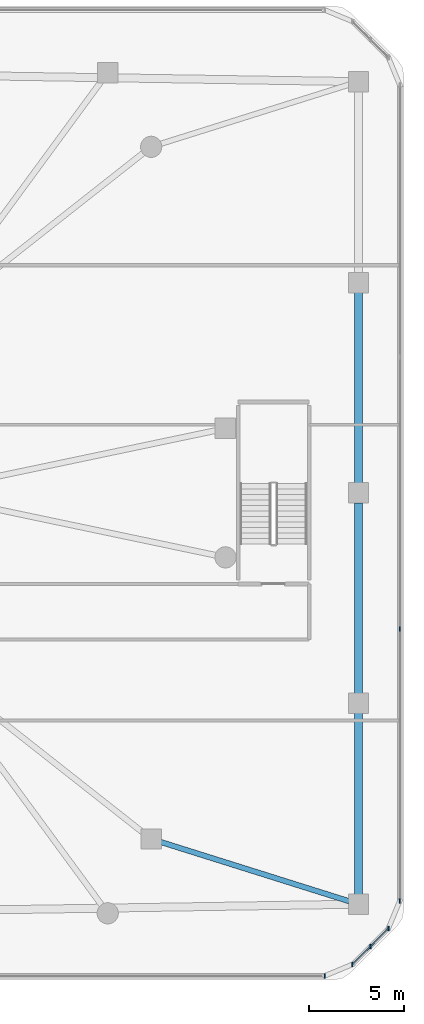
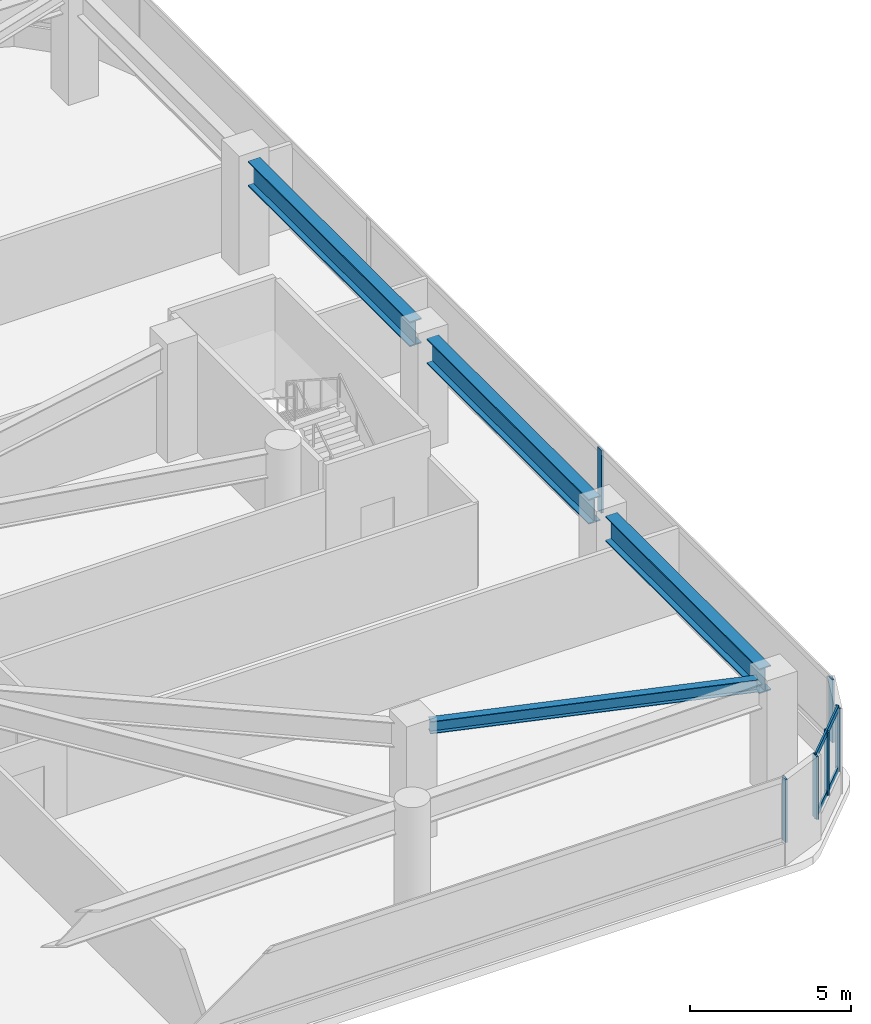
# One storey, part 9 of 21: 8 members, 4 beams, 3 elements without a shape of their own.
"""IFC4 building model written with IfcOpenShell, lengths in metres."""

from ifc_helpers import new_model, si_unit, derived_unit, direction, frame, origin, origin_2d, place, context, subcontext, project, spatial, rectangle, i_section, extrude, material, material_profile, profile_set, type_object, element, aggregate, save


model = new_model("IFC4")

# Units and contexts
model_context = context("Model", 3, precision=1e-05, world=origin(), true_north=direction((0.0, 1.0)))
body_context = subcontext(model_context, "Body", "Model", "MODEL_VIEW")
ifc_project = project(units=[si_unit("LENGTHUNIT", "METRE"), si_unit("AREAUNIT", "SQUARE_METRE"), si_unit("VOLUMEUNIT", "CUBIC_METRE"), si_unit("PLANEANGLEUNIT", "RADIAN"), si_unit("MASSUNIT", "GRAM", prefix="KILO"), derived_unit("THERMALTRANSMITTANCEUNIT", [(si_unit("POWERUNIT", "WATT"), 1), (si_unit("LENGTHUNIT", "METRE"), -2), (si_unit("THERMODYNAMICTEMPERATUREUNIT", "KELVIN"), -1)])], contexts=[model_context])

# Site, building, storey
site_placement = place(None, origin())
site = spatial("IfcSite", under=ifc_project, at=site_placement, CompositionType="ELEMENT")
building_placement = place(site_placement, origin())
building = spatial("IfcBuilding", under=site, at=building_placement, Name="Koralith Skygarden Medical Center", CompositionType="ELEMENT")
storey_placement = place(building_placement, frame((0.0, 0.0, 9.89990234375)))
storey = spatial("IfcBuildingStorey", under=building, at=storey_placement, Name="L02", CompositionType="ELEMENT", Elevation=9.89990234375)

# Curtain wall, member
ifc_material_1 = material(Name="Clear Laminated Glass", Category="glass")
curtain_wall_type = type_object("IfcCurtainWallType", Name="CW-1 Transit & Podium Acoustic Curtain Wall", PredefinedType="NOTDEFINED", material=ifc_material_1)
curtain_wall_1_placement = place(storey_placement, origin())
curtain_wall_1 = element("IfcCurtainWall", 1, at=curtain_wall_1_placement, inside=storey, type_object=curtain_wall_type, Name="Curtain Wall CW-L02-S", PredefinedType="NOTDEFINED")
ifc_material_2 = material(Name="Aluminium 6063-T6", Category="aluminium")
ifc_material_profile_1 = material_profile(ifc_material_2, rectangle(XDim=0.068115234375, YDim=0.239990234375, at=origin_2d()), Name="MUL68X240")
ifc_profile_set_1 = profile_set([ifc_material_profile_1], Name="Aluminium 6063-T6")
member_type_1 = type_object("IfcMemberType", Name="CW-1 Extruded Mullion 68x240", PredefinedType="MULLION", material=ifc_profile_set_1)
member_1_placement = place(storey_placement, frame((69.62109375, 0.419921875, 0.85009765625), z_axis=(0.0, 0.0, 1.0), x_axis=(1.0, 0.0, 0.0)))
member_1 = element("IfcMember", 2, at=member_1_placement, type_object=member_type_1, Name="CW-L02-S Mullion 4", PredefinedType="MULLION", context=body_context, shape_type="SweptSolid", body=[
    extrude(rectangle(XDim=0.068115234375, YDim=0.239990234375, at=origin_2d()), origin(), (0.0, 0.0, 1.0), 2.389892578125),
])
aggregate(curtain_wall_1, [member_1])

# Curtain wall, members
curtain_wall_2_placement = place(storey_placement, origin())
curtain_wall_2 = element("IfcCurtainWall", 3, at=curtain_wall_2_placement, inside=storey, type_object=curtain_wall_type, Name="Curtain Wall CW-L02-SE", PredefinedType="NOTDEFINED")
member_2_placement = place(storey_placement, frame((71.072021484375, 1.02099609375, 0.85009765625), z_axis=(0.0, 0.0, 1.0), x_axis=(1.0, 0.0, 0.0)))
member_2 = element("IfcMember", 4, at=member_2_placement, type_object=member_type_1, Name="CW-L02-SE Mullion 1", PredefinedType="MULLION", context=body_context, shape_type="SweptSolid", body=[
    extrude(rectangle(XDim=0.068115234375, YDim=0.239990234375, at=origin_2d()), origin(), (0.0, 0.0, 1.0), 2.389892578125),
])
member_3_placement = place(storey_placement, frame((72.02490234375, 1.97412109375, 0.85009765625), z_axis=(0.0, 0.0, 1.0), x_axis=(1.0, 0.0, 0.0)))
member_3 = element("IfcMember", 5, at=member_3_placement, type_object=member_type_1, Name="CW-L02-SE Mullion 2", PredefinedType="MULLION", context=body_context, shape_type="SweptSolid", body=[
    extrude(rectangle(XDim=0.068115234375, YDim=0.239990234375, at=origin_2d()), origin(), (0.0, 0.0, 1.0), 2.389892578125),
])
member_4_placement = place(storey_placement, frame((72.97900390625, 2.927978515625, 0.85009765625), z_axis=(0.0, 0.0, 1.0), x_axis=(1.0, 0.0, 0.0)))
member_4 = element("IfcMember", 6, at=member_4_placement, type_object=member_type_1, Name="CW-L02-SE Mullion 3", PredefinedType="MULLION", context=body_context, shape_type="SweptSolid", body=[
    extrude(rectangle(XDim=0.068115234375, YDim=0.239990234375, at=origin_2d()), origin(), (0.0, 0.0, 1.0), 2.389892578125),
])

curtain_wall_3_placement = place(storey_placement, origin())
curtain_wall_3 = element("IfcCurtainWall", 7, at=curtain_wall_3_placement, inside=storey, type_object=curtain_wall_type, Name="Curtain Wall CW-L02-E", PredefinedType="NOTDEFINED")
member_5_placement = place(storey_placement, frame((73.580078125, 4.37890625, 0.85009765625), z_axis=(0.0, 0.0, 1.0), x_axis=(1.0, 0.0, 0.0)))
member_5 = element("IfcMember", 8, at=member_5_placement, type_object=member_type_1, Name="CW-L02-E Mullion 1", PredefinedType="MULLION", context=body_context, shape_type="SweptSolid", body=[
    extrude(rectangle(XDim=0.068115234375, YDim=0.239990234375, at=origin_2d()), origin(), (0.0, 0.0, 1.0), 2.389892578125),
])
member_6_placement = place(storey_placement, frame((73.580078125, 18.72607421875, 0.85009765625), z_axis=(0.0, 0.0, 1.0), x_axis=(1.0, 0.0, 0.0)))
member_6 = element("IfcMember", 9, at=member_6_placement, type_object=member_type_1, Name="CW-L02-E Mullion 2", PredefinedType="MULLION", context=body_context, shape_type="SweptSolid", body=[
    extrude(rectangle(XDim=0.068115234375, YDim=0.239990234375, at=origin_2d()), origin(), (0.0, 0.0, 1.0), 2.389892578125),
])
aggregate(curtain_wall_3, [member_5, member_6])

# Member
ifc_material_profile_2 = material_profile(ifc_material_2, rectangle(XDim=0.06298828125, YDim=0.216064453125, at=origin_2d()), Name="TRN63X216")
ifc_profile_set_2 = profile_set([ifc_material_profile_2], Name="Aluminium 6063-T6")
member_type_2 = type_object("IfcMemberType", Name="CW-1 Thermal Transom 63x216", PredefinedType="USERDEFINED", material=ifc_profile_set_2)
member_7_placement = place(storey_placement, frame((71.072021484375, 1.02099609375, 0.900146484375), z_axis=(0.707106781187, 0.707106781187, 0.0), x_axis=(-0.707106781187, 0.707106781187, 0.0)))
member_7 = element("IfcMember", 10, at=member_7_placement, type_object=member_type_2, Name="CW-L02-SE Transom 1", ObjectType="TRANSOM", PredefinedType="USERDEFINED", context=body_context, shape_type="SweptSolid", body=[
    extrude(rectangle(XDim=0.06298828125, YDim=0.216064453125, at=origin_2d()), origin(), (0.0, 0.0, 1.0), 2.69677734375),
])

member_8_placement = place(storey_placement, frame((71.072021484375, 1.02099609375, 3.190185546875), z_axis=(0.707106781187, 0.707106781187, 0.0), x_axis=(-0.707106781187, 0.707106781187, 0.0)))
member_8 = element("IfcMember", 11, at=member_8_placement, type_object=member_type_2, Name="CW-L02-SE Transom 2", ObjectType="TRANSOM", PredefinedType="USERDEFINED", context=body_context, shape_type="SweptSolid", body=[
    extrude(rectangle(XDim=0.06298828125, YDim=0.216064453125, at=origin_2d()), origin(), (0.0, 0.0, 1.0), 2.69677734375),
])

aggregate(curtain_wall_2, [member_2, member_3, member_4, member_7, member_8])

# Beams
ifc_material_3 = material(Name="Steel ASTM A992 Grade 50", Category="steel")
ifc_material_profile_3 = material_profile(ifc_material_3, i_section(OverallWidth=0.423095703125, OverallDepth=0.947998046875, WebThickness=0.02392578125, FlangeThickness=0.042724609375, at=origin_2d()), Name="W36X302")
ifc_profile_set_3 = profile_set([ifc_material_profile_3], Name="Steel ASTM A992 Grade 50")
beam_type_1 = type_object("IfcBeamType", Name="Podium Concourse Girder W36X302", PredefinedType="BEAM", material=ifc_profile_set_3)
beam_1_placement = place(storey_placement, frame((71.39990234375, 4.719970703125, 3.72607421875), z_axis=(0.0, 1.0, 0.0), x_axis=(-1.0, 0.0, 0.0)))
element("IfcBeam", 12, at=beam_1_placement, inside=storey, type_object=beam_type_1, Name="L02 Podium Perimeter Beam PB-05", PredefinedType="BEAM", context=body_context, shape_type="SweptSolid", body=[
    extrude(i_section(OverallWidth=0.423095703125, OverallDepth=0.947998046875, WebThickness=0.02392578125, FlangeThickness=0.042724609375, at=origin_2d()), origin(), (0.0, 0.0, 1.0), 9.56005859375),
])
beam_2_placement = place(storey_placement, frame((71.39990234375, 15.320068359375, 3.72607421875), z_axis=(0.0, 1.0, 0.0), x_axis=(-1.0, 0.0, 0.0)))
element("IfcBeam", 13, at=beam_2_placement, inside=storey, type_object=beam_type_1, Name="L02 Podium Perimeter Beam PB-06", PredefinedType="BEAM", context=body_context, shape_type="SweptSolid", body=[
    extrude(i_section(OverallWidth=0.423095703125, OverallDepth=0.947998046875, WebThickness=0.02392578125, FlangeThickness=0.042724609375, at=origin_2d()), origin(), (0.0, 0.0, 1.0), 10.059814453125),
])
beam_3_placement = place(storey_placement, frame((71.39990234375, 26.419921875, 3.72607421875), z_axis=(0.0, 1.0, 0.0), x_axis=(-1.0, 0.0, 0.0)))
element("IfcBeam", 14, at=beam_3_placement, inside=storey, type_object=beam_type_1, Name="L02 Podium Perimeter Beam PB-07", PredefinedType="BEAM", context=body_context, shape_type="SweptSolid", body=[
    extrude(i_section(OverallWidth=0.423095703125, OverallDepth=0.947998046875, WebThickness=0.02392578125, FlangeThickness=0.042724609375, at=origin_2d()), origin(), (0.0, 0.0, 1.0), 10.06005859375),
])
ifc_material_profile_4 = material_profile(ifc_material_3, i_section(OverallWidth=0.281982421875, OverallDepth=0.467041015625, WebThickness=0.01220703125, FlangeThickness=0.01953125, at=origin_2d()), Name="W18X86")
ifc_profile_set_4 = profile_set([ifc_material_profile_4], Name="Steel ASTM A992 Grade 50")
beam_type_2 = type_object("IfcBeamType", Name="Podium Floor Joist W18X86", PredefinedType="JOIST", material=ifc_profile_set_4)
beam_4_placement = place(storey_placement, frame((60.9560546875, 7.48388671875, 3.967041015625), z_axis=(0.953954869198, -0.299950175084, 0.0), x_axis=(0.299950175084, 0.953954869198, 0.0)))
element("IfcBeam", 15, at=beam_4_placement, inside=storey, type_object=beam_type_2, Name="L02 Podium Floor Joist PJ-03", PredefinedType="JOIST", context=body_context, shape_type="SweptSolid", body=[
    extrude(i_section(OverallWidth=0.281982421875, OverallDepth=0.467041015625, WebThickness=0.01220703125, FlangeThickness=0.01953125, at=origin_2d()), origin(), (0.0, 0.0, 1.0), 10.42822265625),
])

save(model, "model.ifc")
